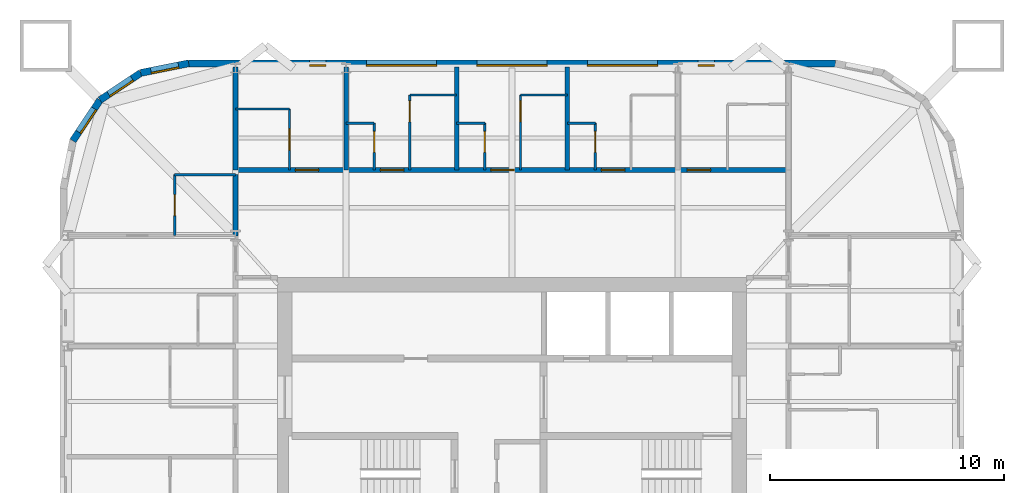
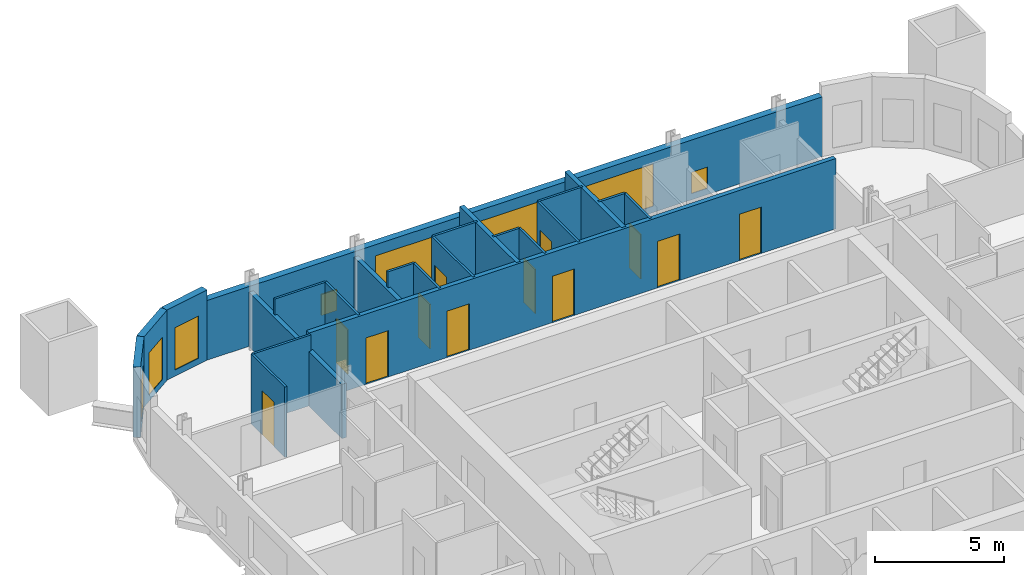
# One storey, part 7 of 9: 24 walls, 12 doors, 8 windows, 20 openings.
"""IFC4 building model written with IfcOpenShell, lengths in metres."""

from ifc_helpers import new_model, si_unit, direction, frame, frame_2d, origin, place, context, subcontext, project, spatial, rectangle, extrude, material, layer, layer_set, type_object, element, fill, save


model = new_model("IFC4")

# Units and contexts
model_context = context("Model", 3, precision=1e-05, world=origin(), true_north=direction((0.0, 1.0)))
body_context = subcontext(model_context, "Body", "Model", "MODEL_VIEW")
ifc_project = project(units=[si_unit("LENGTHUNIT", "METRE"), si_unit("AREAUNIT", "SQUARE_METRE"), si_unit("VOLUMEUNIT", "CUBIC_METRE"), si_unit("PLANEANGLEUNIT", "RADIAN"), si_unit("MASSUNIT", "GRAM", prefix="KILO")], contexts=[model_context])

# Site, building, storey
site_placement = place(None, origin())
site = spatial("IfcSite", under=ifc_project, at=site_placement, CompositionType="ELEMENT")
building_placement = place(site_placement, origin())
building = spatial("IfcBuilding", under=site, at=building_placement, Name="Turquesa Mirador Hotel Tower", CompositionType="ELEMENT")
storey_placement = place(building_placement, frame((0.0, 0.0, 175.800048828125)))
storey = spatial("IfcBuildingStorey", under=building, at=storey_placement, Name="L47", CompositionType="ELEMENT", Elevation=175.800048828125)

# Walls
ifc_material_1 = material(Name="Gypsum board on steel studs", Category="steel")
ifc_layer_1 = layer(ifc_material_1, 0.10009765625)
ifc_layer_set_1 = layer_set([ifc_layer_1], Name="BATHROOM WALL 100")
wall_type_1 = type_object("IfcWallType", Name="BATHROOM WALL 100", PredefinedType="PARTITIONING", material=ifc_layer_set_1)
wall_1_placement = place(storey_placement, frame((40.60009765625, 59.39990234375, 0.0), z_axis=(0.0, 0.0, 1.0), x_axis=(1.0, 0.0, 0.0)))
element("IfcWall", 1, at=wall_1_placement, inside=storey, type_object=wall_type_1, Name="Partition L47 029", PredefinedType="PARTITIONING", context=body_context, shape_type="SweptSolid", body=[
    extrude(rectangle(XDim=2.599853515625, YDim=0.10009765625, at=frame_2d((1.2998046875, 0.0))), origin(), (0.0, 0.0, 1.0), 3.329833984375),
])
for number, where, z_axis, x_axis, name in (
    (2, (47.919921875, 61.60009765625, 0.0), (0.0, 0.0, 1.0), (1.0, 0.0, 0.0), "Partition L47 031"),
    (3, (52.639892578125, 61.60009765625, 0.0), (0.0, 0.0, 1.0), (1.0, 0.0, 0.0), "Partition L47 032"),
):
    element("IfcWall", number, at=place(storey_placement, frame(where, z_axis=z_axis, x_axis=x_axis)), inside=storey, type_object=wall_type_1, Name=name, PredefinedType="PARTITIONING", context=body_context, shape_type="SweptSolid", body=[
        extrude(rectangle(XDim=1.2001953125, YDim=0.10009765625, at=frame_2d((0.60009765625, 0.0))), origin(), (0.0, 0.0, 1.0), 3.329833984375),
    ])
wall_2_placement = place(storey_placement, frame((57.360107421875, 61.60009765625, 0.0), z_axis=(0.0, 0.0, 1.0), x_axis=(1.0, 0.0, 0.0)))
element("IfcWall", 4, at=wall_2_placement, inside=storey, type_object=wall_type_1, Name="Partition L47 033", PredefinedType="PARTITIONING", context=body_context, shape_type="SweptSolid", body=[
    extrude(rectangle(XDim=1.199951171875, YDim=0.10009765625, at=frame_2d((0.60009765625, 0.0))), origin(), (0.0, 0.0, 1.0), 3.329833984375),
])
wall_3_placement = place(storey_placement, frame((43.199951171875, 62.199951171875, 0.0), z_axis=(0.0, 0.0, 1.0), x_axis=(1.0, 0.0, 0.0)))
element("IfcWall", 5, at=wall_3_placement, inside=storey, type_object=wall_type_1, Name="Partition L47 034", PredefinedType="PARTITIONING", context=body_context, shape_type="SweptSolid", body=[
    extrude(rectangle(XDim=2.300048828125, YDim=0.10009765625, at=frame_2d((1.14990234375, 0.0))), origin(), (0.0, 0.0, 1.0), 3.329833984375),
])
for number, where, z_axis, x_axis, name in (
    (6, (50.639892578125, 62.800048828125, 0.0), (0.0, 0.0, 1.0), (1.0, 0.0, 0.0), "Partition L47 036"),
    (7, (55.360107421875, 62.800048828125, 0.0), (0.0, 0.0, 1.0), (1.0, 0.0, 0.0), "Partition L47 037"),
):
    element("IfcWall", number, at=place(storey_placement, frame(where, z_axis=z_axis, x_axis=x_axis)), inside=storey, type_object=wall_type_1, Name=name, PredefinedType="PARTITIONING", context=body_context, shape_type="SweptSolid", body=[
        extrude(rectangle(XDim=2.0, YDim=0.10009765625, at=frame_2d((1.0, 0.0))), origin(), (0.0, 0.0, 1.0), 3.329833984375),
    ])

# Wall, opening, door
wall_4_placement = place(storey_placement, frame((53.840087890625, 59.60009765625, 0.0), z_axis=(0.0, 0.0, 1.0), x_axis=(0.0, 1.0, 0.0)))
wall_4 = element("IfcWall", 8, at=wall_4_placement, inside=storey, type_object=wall_type_1, Name="Partition L47 048", PredefinedType="PARTITIONING", context=body_context, shape_type="SweptSolid", body=[
    extrude(rectangle(XDim=2.0, YDim=0.10009765625, at=frame_2d((1.0, 0.0))), origin(), (0.0, 0.0, 1.0), 3.329833984375),
])
opening_1_placement = place(wall_4_placement, frame((0.75, 0.0, 0.0)))
opening_1 = element("IfcOpeningElement", 9, at=opening_1_placement, cuts=wall_4, Name="Opening D06", PredefinedType="OPENING", context=body_context, shape_type="SweptSolid", body=[
    extrude(rectangle(XDim=0.89990234375, YDim=2.10009765625, at=frame_2d((0.449951171875, 1.050048828125))), frame((0.0, 0.06005859375, 0.0), z_axis=(0.0, -1.0, 0.0), x_axis=(1.0, 0.0, 0.0)), (0.0, 0.0, 1.0), 0.1201171875),
])
ifc_material_2 = material(Name="Laminate door", Category="wood")
door_type_1 = type_object("IfcDoorType", Name="DOOR 900X2100 WC", OperationType="SINGLE_SWING_LEFT", PredefinedType="DOOR", material=ifc_material_2)
door_1_placement = place(opening_1_placement, origin())
door_1 = element("IfcDoor", 10, at=door_1_placement, inside=storey, type_object=door_type_1, Name="Door 4703W", OperationType="SINGLE_SWING_LEFT", OverallHeight=2.10009765625, OverallWidth=0.89990234375, PredefinedType="DOOR", context=body_context, shape_type="SweptSolid", body=[
    extrude(rectangle(XDim=0.89990234375, YDim=2.10009765625, at=frame_2d((0.449951171875, 1.050048828125))), frame((0.0, 0.02490234375, 0.0), z_axis=(0.0, -1.0, 0.0), x_axis=(1.0, 0.0, 0.0)), (0.0, 0.0, 1.0), 0.050048828125),
])
fill(opening_1, door_1)

wall_5_placement = place(storey_placement, frame((40.60009765625, 56.800048828125, 0.0), z_axis=(0.0, 0.0, 1.0), x_axis=(0.0, 1.0, 0.0)))
wall_5 = element("IfcWall", 11, at=wall_5_placement, inside=storey, type_object=wall_type_1, Name="Partition L47 056", PredefinedType="PARTITIONING", context=body_context, shape_type="SweptSolid", body=[
    extrude(rectangle(XDim=2.599853515625, YDim=0.10009765625, at=frame_2d((1.2998046875, 0.0))), origin(), (0.0, 0.0, 1.0), 3.329833984375),
])
opening_2_placement = place(wall_5_placement, frame((0.85009765625, 0.0, 0.0)))
opening_2 = element("IfcOpeningElement", 12, at=opening_2_placement, cuts=wall_5, Name="Opening D02", PredefinedType="OPENING", context=body_context, shape_type="SweptSolid", body=[
    extrude(rectangle(XDim=0.89990234375, YDim=2.10009765625, at=frame_2d((0.449951171875, 1.050048828125))), frame((0.0, 0.06005859375, 0.0), z_axis=(0.0, -1.0, 0.0), x_axis=(1.0, 0.0, 0.0)), (0.0, 0.0, 1.0), 0.1201171875),
])
ifc_material_3 = material(Name="Timber veneered door", Category="wood")
door_type_2 = type_object("IfcDoorType", Name="DOOR 900X2100 EN-SUITE", OperationType="SINGLE_SWING_RIGHT", PredefinedType="DOOR", material=ifc_material_3)
door_2_placement = place(opening_2_placement, origin())
door_2 = element("IfcDoor", 13, at=door_2_placement, inside=storey, type_object=door_type_2, Name="Door 4716B", OperationType="SINGLE_SWING_RIGHT", OverallHeight=2.10009765625, OverallWidth=0.89990234375, PredefinedType="DOOR", context=body_context, shape_type="SweptSolid", body=[
    extrude(rectangle(XDim=0.89990234375, YDim=2.10009765625, at=frame_2d((0.449951171875, 1.050048828125))), frame((0.0, 0.02490234375, 0.0), z_axis=(0.0, -1.0, 0.0), x_axis=(1.0, 0.0, 0.0)), (0.0, 0.0, 1.0), 0.050048828125),
])
fill(opening_2, door_2)

wall_6_placement = place(storey_placement, frame((50.639892578125, 59.60009765625, 0.0), z_axis=(0.0, 0.0, 1.0), x_axis=(0.0, 1.0, 0.0)))
wall_6 = element("IfcWall", 14, at=wall_6_placement, inside=storey, type_object=wall_type_1, Name="Partition L47 062", PredefinedType="PARTITIONING", context=body_context, shape_type="SweptSolid", body=[
    extrude(rectangle(XDim=3.199951171875, YDim=0.10009765625, at=frame_2d((1.60009765625, 0.0))), origin(), (0.0, 0.0, 1.0), 3.329833984375),
])
opening_3_placement = place(wall_6_placement, frame((2.050048828125, 0.0, 0.0)))
opening_3 = element("IfcOpeningElement", 15, at=opening_3_placement, cuts=wall_6, Name="Opening D02", PredefinedType="OPENING", context=body_context, shape_type="SweptSolid", body=[
    extrude(rectangle(XDim=0.89990234375, YDim=2.10009765625, at=frame_2d((0.449951171875, 1.050048828125))), frame((0.0, 0.06005859375, 0.0), z_axis=(0.0, -1.0, 0.0), x_axis=(1.0, 0.0, 0.0)), (0.0, 0.0, 1.0), 0.1201171875),
])
door_3_placement = place(opening_3_placement, origin())
door_3 = element("IfcDoor", 16, at=door_3_placement, inside=storey, type_object=door_type_2, Name="Door 4702B", OperationType="SINGLE_SWING_RIGHT", OverallHeight=2.10009765625, OverallWidth=0.89990234375, PredefinedType="DOOR", context=body_context, shape_type="SweptSolid", body=[
    extrude(rectangle(XDim=0.89990234375, YDim=2.10009765625, at=frame_2d((0.449951171875, 1.050048828125))), frame((0.0, 0.02490234375, 0.0), z_axis=(0.0, -1.0, 0.0), x_axis=(1.0, 0.0, 0.0)), (0.0, 0.0, 1.0), 0.050048828125),
])
fill(opening_3, door_3)

wall_7_placement = place(storey_placement, frame((49.1201171875, 59.60009765625, 0.0), z_axis=(0.0, 0.0, 1.0), x_axis=(0.0, 1.0, 0.0)))
wall_7 = element("IfcWall", 17, at=wall_7_placement, inside=storey, type_object=wall_type_1, Name="Partition L47 064", PredefinedType="PARTITIONING", context=body_context, shape_type="SweptSolid", body=[
    extrude(rectangle(XDim=2.0, YDim=0.10009765625, at=frame_2d((1.0, 0.0))), origin(), (0.0, 0.0, 1.0), 3.329833984375),
])
opening_4_placement = place(wall_7_placement, frame((0.75, 0.0, 0.0)))
opening_4 = element("IfcOpeningElement", 18, at=opening_4_placement, cuts=wall_7, Name="Opening D06", PredefinedType="OPENING", context=body_context, shape_type="SweptSolid", body=[
    extrude(rectangle(XDim=0.89990234375, YDim=2.10009765625, at=frame_2d((0.449951171875, 1.050048828125))), frame((0.0, 0.06005859375, 0.0), z_axis=(0.0, -1.0, 0.0), x_axis=(1.0, 0.0, 0.0)), (0.0, 0.0, 1.0), 0.1201171875),
])
door_4_placement = place(opening_4_placement, origin())
door_4 = element("IfcDoor", 19, at=door_4_placement, inside=storey, type_object=door_type_1, Name="Door 4702W", OperationType="SINGLE_SWING_LEFT", OverallHeight=2.10009765625, OverallWidth=0.89990234375, PredefinedType="DOOR", context=body_context, shape_type="SweptSolid", body=[
    extrude(rectangle(XDim=0.89990234375, YDim=2.10009765625, at=frame_2d((0.449951171875, 1.050048828125))), frame((0.0, 0.02490234375, 0.0), z_axis=(0.0, -1.0, 0.0), x_axis=(1.0, 0.0, 0.0)), (0.0, 0.0, 1.0), 0.050048828125),
])
fill(opening_4, door_4)

wall_8_placement = place(storey_placement, frame((45.5, 59.60009765625, 0.0), z_axis=(0.0, 0.0, 1.0), x_axis=(0.0, 1.0, 0.0)))
wall_8 = element("IfcWall", 20, at=wall_8_placement, inside=storey, type_object=wall_type_1, Name="Partition L47 069", PredefinedType="PARTITIONING", context=body_context, shape_type="SweptSolid", body=[
    extrude(rectangle(XDim=2.599853515625, YDim=0.10009765625, at=frame_2d((1.2998046875, 0.0))), origin(), (0.0, 0.0, 1.0), 3.329833984375),
])
opening_5_placement = place(wall_8_placement, frame((0.85009765625, 0.0, 0.0)))
opening_5 = element("IfcOpeningElement", 21, at=opening_5_placement, cuts=wall_8, Name="Opening D02", PredefinedType="OPENING", context=body_context, shape_type="SweptSolid", body=[
    extrude(rectangle(XDim=0.89990234375, YDim=2.10009765625, at=frame_2d((0.449951171875, 1.050048828125))), frame((0.0, 0.06005859375, 0.0), z_axis=(0.0, -1.0, 0.0), x_axis=(1.0, 0.0, 0.0)), (0.0, 0.0, 1.0), 0.1201171875),
])
door_5_placement = place(opening_5_placement, origin())
door_5 = element("IfcDoor", 22, at=door_5_placement, inside=storey, type_object=door_type_2, Name="Door 4701B", OperationType="SINGLE_SWING_RIGHT", OverallHeight=2.10009765625, OverallWidth=0.89990234375, PredefinedType="DOOR", context=body_context, shape_type="SweptSolid", body=[
    extrude(rectangle(XDim=0.89990234375, YDim=2.10009765625, at=frame_2d((0.449951171875, 1.050048828125))), frame((0.0, 0.02490234375, 0.0), z_axis=(0.0, -1.0, 0.0), x_axis=(1.0, 0.0, 0.0)), (0.0, 0.0, 1.0), 0.050048828125),
])
fill(opening_5, door_5)

wall_9_placement = place(storey_placement, frame((55.360107421875, 59.60009765625, 0.0), z_axis=(0.0, 0.0, 1.0), x_axis=(0.0, 1.0, 0.0)))
wall_9 = element("IfcWall", 23, at=wall_9_placement, inside=storey, type_object=wall_type_1, Name="Partition L47 070", PredefinedType="PARTITIONING", context=body_context, shape_type="SweptSolid", body=[
    extrude(rectangle(XDim=3.199951171875, YDim=0.10009765625, at=frame_2d((1.60009765625, 0.0))), origin(), (0.0, 0.0, 1.0), 3.329833984375),
])
opening_6_placement = place(wall_9_placement, frame((2.050048828125, 0.0, 0.0)))
opening_6 = element("IfcOpeningElement", 24, at=opening_6_placement, cuts=wall_9, Name="Opening D02", PredefinedType="OPENING", context=body_context, shape_type="SweptSolid", body=[
    extrude(rectangle(XDim=0.89990234375, YDim=2.10009765625, at=frame_2d((0.449951171875, 1.050048828125))), frame((0.0, 0.06005859375, 0.0), z_axis=(0.0, -1.0, 0.0), x_axis=(1.0, 0.0, 0.0)), (0.0, 0.0, 1.0), 0.1201171875),
])
door_6_placement = place(opening_6_placement, origin())
door_6 = element("IfcDoor", 25, at=door_6_placement, inside=storey, type_object=door_type_2, Name="Door 4703B", OperationType="SINGLE_SWING_RIGHT", OverallHeight=2.10009765625, OverallWidth=0.89990234375, PredefinedType="DOOR", context=body_context, shape_type="SweptSolid", body=[
    extrude(rectangle(XDim=0.89990234375, YDim=2.10009765625, at=frame_2d((0.449951171875, 1.050048828125))), frame((0.0, 0.02490234375, 0.0), z_axis=(0.0, -1.0, 0.0), x_axis=(1.0, 0.0, 0.0)), (0.0, 0.0, 1.0), 0.050048828125),
])
fill(opening_6, door_6)

wall_10_placement = place(storey_placement, frame((58.56005859375, 59.60009765625, 0.0), z_axis=(0.0, 0.0, 1.0), x_axis=(0.0, 1.0, 0.0)))
wall_10 = element("IfcWall", 26, at=wall_10_placement, inside=storey, type_object=wall_type_1, Name="Partition L47 087", PredefinedType="PARTITIONING", context=body_context, shape_type="SweptSolid", body=[
    extrude(rectangle(XDim=2.0, YDim=0.10009765625, at=frame_2d((1.0, 0.0))), origin(), (0.0, 0.0, 1.0), 3.329833984375),
])
opening_7_placement = place(wall_10_placement, frame((0.75, 0.0, 0.0)))
opening_7 = element("IfcOpeningElement", 27, at=opening_7_placement, cuts=wall_10, Name="Opening D06", PredefinedType="OPENING", context=body_context, shape_type="SweptSolid", body=[
    extrude(rectangle(XDim=0.89990234375, YDim=2.10009765625, at=frame_2d((0.449951171875, 1.050048828125))), frame((0.0, 0.06005859375, 0.0), z_axis=(0.0, -1.0, 0.0), x_axis=(1.0, 0.0, 0.0)), (0.0, 0.0, 1.0), 0.1201171875),
])
door_7_placement = place(opening_7_placement, origin())
door_7 = element("IfcDoor", 28, at=door_7_placement, inside=storey, type_object=door_type_1, Name="Door 4704W", OperationType="SINGLE_SWING_LEFT", OverallHeight=2.10009765625, OverallWidth=0.89990234375, PredefinedType="DOOR", context=body_context, shape_type="SweptSolid", body=[
    extrude(rectangle(XDim=0.89990234375, YDim=2.10009765625, at=frame_2d((0.449951171875, 1.050048828125))), frame((0.0, 0.02490234375, 0.0), z_axis=(0.0, -1.0, 0.0), x_axis=(1.0, 0.0, 0.0)), (0.0, 0.0, 1.0), 0.050048828125),
])
fill(opening_7, door_7)

# Wall, openings, doors
ifc_material_4 = material(Name="Fire-rated gypsum board on steel studs", Category="steel")
ifc_layer_2 = layer(ifc_material_4, 0.199951171875)
ifc_layer_set_2 = layer_set([ifc_layer_2], Name="CORRIDOR WALL 200")
wall_type_2 = type_object("IfcWallType", Name="CORRIDOR WALL 200", PredefinedType="PARTITIONING", material=ifc_layer_set_2)
wall_11_placement = place(storey_placement, frame((43.199951171875, 59.60009765625, 0.0), z_axis=(0.0, 0.0, 1.0), x_axis=(1.0, 0.0, 0.0)))
wall_11 = element("IfcWall", 29, at=wall_11_placement, inside=storey, type_object=wall_type_2, Name="Partition L47 030", PredefinedType="PARTITIONING", context=body_context, shape_type="SweptSolid", body=[
    extrude(rectangle(XDim=23.60009765625, YDim=0.199951171875, at=frame_2d((11.800048828125, 0.0))), origin(), (0.0, 0.0, 1.0), 3.329833984375),
])
opening_8_placement = place(wall_11_placement, frame((2.550048828125, 0.0, 0.0)))
opening_8 = element("IfcOpeningElement", 30, at=opening_8_placement, cuts=wall_11, Name="Opening D01", PredefinedType="OPENING", context=body_context, shape_type="SweptSolid", body=[
    extrude(rectangle(XDim=1.0, YDim=2.199951171875, at=frame_2d((0.5, 1.10009765625))), frame((0.0, 0.10986328125, 0.0), z_axis=(0.0, -1.0, 0.0), x_axis=(1.0, 0.0, 0.0)), (0.0, 0.0, 1.0), 0.219970703125),
])
opening_9_placement = place(wall_11_placement, frame((6.179931640625, 0.0, 0.0)))
opening_9 = element("IfcOpeningElement", 31, at=opening_9_placement, cuts=wall_11, Name="Opening D01", PredefinedType="OPENING", context=body_context, shape_type="SweptSolid", body=[
    extrude(rectangle(XDim=1.0, YDim=2.199951171875, at=frame_2d((0.5, 1.10009765625))), frame((0.0, 0.10986328125, 0.0), z_axis=(0.0, -1.0, 0.0), x_axis=(1.0, 0.0, 0.0)), (0.0, 0.0, 1.0), 0.219970703125),
])
opening_10_placement = place(wall_11_placement, frame((10.89990234375, 0.0, 0.0)))
opening_10 = element("IfcOpeningElement", 32, at=opening_10_placement, cuts=wall_11, Name="Opening D01", PredefinedType="OPENING", context=body_context, shape_type="SweptSolid", body=[
    extrude(rectangle(XDim=1.0, YDim=2.199951171875, at=frame_2d((0.5, 1.10009765625))), frame((0.0, 0.10986328125, 0.0), z_axis=(0.0, -1.0, 0.0), x_axis=(1.0, 0.0, 0.0)), (0.0, 0.0, 1.0), 0.219970703125),
])
opening_11_placement = place(wall_11_placement, frame((15.6201171875, 0.0, 0.0)))
opening_11 = element("IfcOpeningElement", 33, at=opening_11_placement, cuts=wall_11, Name="Opening D01", PredefinedType="OPENING", context=body_context, shape_type="SweptSolid", body=[
    extrude(rectangle(XDim=1.0, YDim=2.199951171875, at=frame_2d((0.5, 1.10009765625))), frame((0.0, 0.10986328125, 0.0), z_axis=(0.0, -1.0, 0.0), x_axis=(1.0, 0.0, 0.0)), (0.0, 0.0, 1.0), 0.219970703125),
])
opening_12_placement = place(wall_11_placement, frame((19.280029296875, 0.0, 0.0)))
opening_12 = element("IfcOpeningElement", 34, at=opening_12_placement, cuts=wall_11, Name="Opening D01", PredefinedType="OPENING", context=body_context, shape_type="SweptSolid", body=[
    extrude(rectangle(XDim=1.0, YDim=2.199951171875, at=frame_2d((0.5, 1.10009765625))), frame((0.0, 0.10986328125, 0.0), z_axis=(0.0, -1.0, 0.0), x_axis=(1.0, 0.0, 0.0)), (0.0, 0.0, 1.0), 0.219970703125),
])
ifc_material_5 = material(Name="Timber veneered fire door", Category="wood")
door_type_3 = type_object("IfcDoorType", Name="DOOR 1000X2200 GUEST ENTRY", OperationType="SINGLE_SWING_LEFT", PredefinedType="DOOR", material=ifc_material_5)
door_8_placement = place(opening_8_placement, origin())
door_8 = element("IfcDoor", 35, at=door_8_placement, inside=storey, type_object=door_type_3, Name="Door 4701", OperationType="SINGLE_SWING_LEFT", OverallHeight=2.199951171875, OverallWidth=1.0, PredefinedType="DOOR", context=body_context, shape_type="SweptSolid", body=[
    extrude(rectangle(XDim=1.0, YDim=2.199951171875, at=frame_2d((0.5, 1.10009765625))), frame((0.0, 0.02490234375, 0.0), z_axis=(0.0, -1.0, 0.0), x_axis=(1.0, 0.0, 0.0)), (0.0, 0.0, 1.0), 0.050048828125),
])
fill(opening_8, door_8)
door_9_placement = place(opening_9_placement, origin())
door_9 = element("IfcDoor", 36, at=door_9_placement, inside=storey, type_object=door_type_3, Name="Door 4702", OperationType="SINGLE_SWING_LEFT", OverallHeight=2.199951171875, OverallWidth=1.0, PredefinedType="DOOR", context=body_context, shape_type="SweptSolid", body=[
    extrude(rectangle(XDim=1.0, YDim=2.199951171875, at=frame_2d((0.5, 1.10009765625))), frame((0.0, 0.02490234375, 0.0), z_axis=(0.0, -1.0, 0.0), x_axis=(1.0, 0.0, 0.0)), (0.0, 0.0, 1.0), 0.050048828125),
])
fill(opening_9, door_9)
door_10_placement = place(opening_10_placement, origin())
door_10 = element("IfcDoor", 37, at=door_10_placement, inside=storey, type_object=door_type_3, Name="Door 4703", OperationType="SINGLE_SWING_LEFT", OverallHeight=2.199951171875, OverallWidth=1.0, PredefinedType="DOOR", context=body_context, shape_type="SweptSolid", body=[
    extrude(rectangle(XDim=1.0, YDim=2.199951171875, at=frame_2d((0.5, 1.10009765625))), frame((0.0, 0.02490234375, 0.0), z_axis=(0.0, -1.0, 0.0), x_axis=(1.0, 0.0, 0.0)), (0.0, 0.0, 1.0), 0.050048828125),
])
fill(opening_10, door_10)
door_11_placement = place(opening_11_placement, origin())
door_11 = element("IfcDoor", 38, at=door_11_placement, inside=storey, type_object=door_type_3, Name="Door 4704", OperationType="SINGLE_SWING_LEFT", OverallHeight=2.199951171875, OverallWidth=1.0, PredefinedType="DOOR", context=body_context, shape_type="SweptSolid", body=[
    extrude(rectangle(XDim=1.0, YDim=2.199951171875, at=frame_2d((0.5, 1.10009765625))), frame((0.0, 0.02490234375, 0.0), z_axis=(0.0, -1.0, 0.0), x_axis=(1.0, 0.0, 0.0)), (0.0, 0.0, 1.0), 0.050048828125),
])
fill(opening_11, door_11)
door_12_placement = place(opening_12_placement, origin())
door_12 = element("IfcDoor", 39, at=door_12_placement, inside=storey, type_object=door_type_3, Name="Door 4705", OperationType="SINGLE_SWING_LEFT", OverallHeight=2.199951171875, OverallWidth=1.0, PredefinedType="DOOR", context=body_context, shape_type="SweptSolid", body=[
    extrude(rectangle(XDim=1.0, YDim=2.199951171875, at=frame_2d((0.5, 1.10009765625))), frame((0.0, 0.02490234375, 0.0), z_axis=(0.0, -1.0, 0.0), x_axis=(1.0, 0.0, 0.0)), (0.0, 0.0, 1.0), 0.050048828125),
])
fill(opening_12, door_12)

# Wall
wall_12_placement = place(storey_placement, frame((43.199951171875, 56.780029296875, 0.0), z_axis=(0.0, 0.0, 1.0), x_axis=(0.0, 1.0, 0.0)))
element("IfcWall", 40, at=wall_12_placement, inside=storey, type_object=wall_type_2, Name="Partition L47 092", PredefinedType="PARTITIONING", context=body_context, shape_type="SweptSolid", body=[
    extrude(rectangle(XDim=2.619873046875, YDim=0.199951171875, at=frame_2d((1.31005859375, 0.0))), origin(), (0.0, 0.0, 1.0), 2.572998046875),
])

# Wall, openings, windows
ifc_material_6 = material(Name="Limestone cladding on concrete block", Category="masonry")
ifc_layer_3 = layer(ifc_material_6, 0.300048828125)
ifc_layer_set_3 = layer_set([ifc_layer_3], Name="FACADE WALL 300 STONE SCREEN")
wall_type_3 = type_object("IfcWallType", Name="FACADE WALL 300 STONE SCREEN", PredefinedType="SOLIDWALL", material=ifc_layer_set_3)
wall_13_placement = place(storey_placement, frame((68.800048828125, 64.14990234375, 0.0), z_axis=(0.0, 0.0, 1.0), x_axis=(-1.0, 0.0, 0.0)))
wall_13 = element("IfcWall", 41, at=wall_13_placement, inside=storey, type_object=wall_type_3, Name="Facade wall L47 09", PredefinedType="SOLIDWALL", context=body_context, shape_type="SweptSolid", body=[
    extrude(rectangle(XDim=27.60009765625, YDim=0.300048828125, at=frame_2d((13.800048828125, 0.0))), origin(), (0.0, 0.0, 1.0), 2.829833984375),
])
opening_13_placement = place(wall_13_placement, frame((5.159912109375, 0.0, 0.300048828125)))
opening_13 = element("IfcOpeningElement", 42, at=opening_13_placement, cuts=wall_13, Name="Opening WN32", PredefinedType="OPENING", context=body_context, shape_type="SweptSolid", body=[
    extrude(rectangle(XDim=0.699951171875, YDim=1.0, at=frame_2d((0.35009765625, 0.5))), frame((0.0, 0.159912109375, 0.0), z_axis=(0.0, -1.0, 0.0), x_axis=(1.0, 0.0, 0.0)), (0.0, 0.0, 1.0), 0.320068359375),
])
opening_14_placement = place(wall_13_placement, frame((7.580078125, 0.0, 0.300048828125)))
opening_14 = element("IfcOpeningElement", 43, at=opening_14_placement, cuts=wall_13, Name="Opening WN1", PredefinedType="OPENING", context=body_context, shape_type="SweptSolid", body=[
    extrude(rectangle(XDim=3.0, YDim=2.0, at=frame_2d((1.5, 1.0))), frame((0.0, 0.159912109375, 0.0), z_axis=(0.0, -1.0, 0.0), x_axis=(1.0, 0.0, 0.0)), (0.0, 0.0, 1.0), 0.320068359375),
])
opening_15_placement = place(wall_13_placement, frame((12.300048828125, 0.0, 0.300048828125)))
opening_15 = element("IfcOpeningElement", 44, at=opening_15_placement, cuts=wall_13, Name="Opening WN1", PredefinedType="OPENING", context=body_context, shape_type="SweptSolid", body=[
    extrude(rectangle(XDim=3.0, YDim=2.0, at=frame_2d((1.5, 1.0))), frame((0.0, 0.159912109375, 0.0), z_axis=(0.0, -1.0, 0.0), x_axis=(1.0, 0.0, 0.0)), (0.0, 0.0, 1.0), 0.320068359375),
])
opening_16_placement = place(wall_13_placement, frame((17.02001953125, 0.0, 0.300048828125)))
opening_16 = element("IfcOpeningElement", 45, at=opening_16_placement, cuts=wall_13, Name="Opening WN1", PredefinedType="OPENING", context=body_context, shape_type="SweptSolid", body=[
    extrude(rectangle(XDim=3.0, YDim=2.0, at=frame_2d((1.5, 1.0))), frame((0.0, 0.159912109375, 0.0), z_axis=(0.0, -1.0, 0.0), x_axis=(1.0, 0.0, 0.0)), (0.0, 0.0, 1.0), 0.320068359375),
])
opening_17_placement = place(wall_13_placement, frame((21.739990234375, 0.0, 0.300048828125)))
opening_17 = element("IfcOpeningElement", 46, at=opening_17_placement, cuts=wall_13, Name="Opening WN32", PredefinedType="OPENING", context=body_context, shape_type="SweptSolid", body=[
    extrude(rectangle(XDim=0.699951171875, YDim=1.0, at=frame_2d((0.35009765625, 0.5))), frame((0.0, 0.159912109375, 0.0), z_axis=(0.0, -1.0, 0.0), x_axis=(1.0, 0.0, 0.0)), (0.0, 0.0, 1.0), 0.320068359375),
])
ifc_material_7 = material(Name="Ceramic-fritted laminated glass", Category="glass")
window_type_1 = type_object("IfcWindowType", Name="FRITTED WINDOW 3000X2000", PartitioningType="DOUBLE_PANEL_HORIZONTAL", PredefinedType="WINDOW", material=ifc_material_7)
window_1_placement = place(opening_14_placement, origin())
window_1 = element("IfcWindow", 47, at=window_1_placement, inside=storey, type_object=window_type_1, Name="Window L47", OverallHeight=2.0, OverallWidth=3.0, PartitioningType="SINGLE_PANEL", PredefinedType="WINDOW", context=body_context, shape_type="SweptSolid", body=[
    extrude(rectangle(XDim=3.0, YDim=2.0, at=frame_2d((1.5, 1.0))), frame((0.0, 0.130126953125, 0.0), z_axis=(0.0, -1.0, 0.0), x_axis=(1.0, 0.0, 0.0)), (0.0, 0.0, 1.0), 0.06005859375),
])
fill(opening_14, window_1)
window_2_placement = place(opening_15_placement, origin())
window_2 = element("IfcWindow", 48, at=window_2_placement, inside=storey, type_object=window_type_1, Name="Window L47", OverallHeight=2.0, OverallWidth=3.0, PartitioningType="SINGLE_PANEL", PredefinedType="WINDOW", context=body_context, shape_type="SweptSolid", body=[
    extrude(rectangle(XDim=3.0, YDim=2.0, at=frame_2d((1.5, 1.0))), frame((0.0, 0.130126953125, 0.0), z_axis=(0.0, -1.0, 0.0), x_axis=(1.0, 0.0, 0.0)), (0.0, 0.0, 1.0), 0.06005859375),
])
fill(opening_15, window_2)
window_3_placement = place(opening_16_placement, origin())
window_3 = element("IfcWindow", 49, at=window_3_placement, inside=storey, type_object=window_type_1, Name="Window L47", OverallHeight=2.0, OverallWidth=3.0, PartitioningType="SINGLE_PANEL", PredefinedType="WINDOW", context=body_context, shape_type="SweptSolid", body=[
    extrude(rectangle(XDim=3.0, YDim=2.0, at=frame_2d((1.5, 1.0))), frame((0.0, 0.130126953125, 0.0), z_axis=(0.0, -1.0, 0.0), x_axis=(1.0, 0.0, 0.0)), (0.0, 0.0, 1.0), 0.06005859375),
])
fill(opening_16, window_3)
ifc_material_8 = material(Name="Ceramic-fritted laminated glass", Category="glass")
window_type_2 = type_object("IfcWindowType", Name="FRITTED WINDOW 700X1000", PartitioningType="DOUBLE_PANEL_HORIZONTAL", PredefinedType="WINDOW", material=ifc_material_8)
window_4_placement = place(opening_13_placement, origin())
window_4 = element("IfcWindow", 50, at=window_4_placement, inside=storey, type_object=window_type_2, Name="Window L47", OverallHeight=1.0, OverallWidth=0.699951171875, PartitioningType="SINGLE_PANEL", PredefinedType="WINDOW", context=body_context, shape_type="SweptSolid", body=[
    extrude(rectangle(XDim=0.699951171875, YDim=1.0, at=frame_2d((0.35009765625, 0.5))), frame((0.0, 0.130126953125, 0.0), z_axis=(0.0, -1.0, 0.0), x_axis=(1.0, 0.0, 0.0)), (0.0, 0.0, 1.0), 0.06005859375),
])
fill(opening_13, window_4)
window_5_placement = place(opening_17_placement, origin())
window_5 = element("IfcWindow", 51, at=window_5_placement, inside=storey, type_object=window_type_2, Name="Window L47", OverallHeight=1.0, OverallWidth=0.699951171875, PartitioningType="SINGLE_PANEL", PredefinedType="WINDOW", context=body_context, shape_type="SweptSolid", body=[
    extrude(rectangle(XDim=0.699951171875, YDim=1.0, at=frame_2d((0.35009765625, 0.5))), frame((0.0, 0.130126953125, 0.0), z_axis=(0.0, -1.0, 0.0), x_axis=(1.0, 0.0, 0.0)), (0.0, 0.0, 1.0), 0.06005859375),
])
fill(opening_17, window_5)

# Wall, opening, window
wall_14_placement = place(storey_placement, frame((41.199951171875, 64.14990234375, 0.0), z_axis=(0.0, 0.0, 1.0), x_axis=(-0.980787050784, -0.195081421501, 0.0)))
wall_14 = element("IfcWall", 52, at=wall_14_placement, inside=storey, type_object=wall_type_3, Name="Facade wall L47 10", PredefinedType="SOLIDWALL", context=body_context, shape_type="SweptSolid", body=[
    extrude(rectangle(XDim=2.08740234375, YDim=0.300048828125, at=frame_2d((1.043701171875, 0.0))), origin(), (0.0, 0.0, 1.0), 3.329833984375),
])
opening_18_placement = place(wall_14_placement, frame((0.443603515625, 0.0, 0.300048828125)))
opening_18 = element("IfcOpeningElement", 53, at=opening_18_placement, cuts=wall_14, Name="Opening WN4", PredefinedType="OPENING", context=body_context, shape_type="SweptSolid", body=[
    extrude(rectangle(XDim=1.199951171875, YDim=2.0, at=frame_2d((0.60009765625, 1.0))), frame((0.0, 0.159912109375, 0.0), z_axis=(0.0, -1.0, 0.0), x_axis=(1.0, 0.0, 0.0)), (0.0, 0.0, 1.0), 0.320068359375),
])
ifc_material_9 = material(Name="Ceramic-fritted laminated glass", Category="glass")
window_type_3 = type_object("IfcWindowType", Name="FRITTED CORNER WINDOW 1200X2000", PartitioningType="DOUBLE_PANEL_HORIZONTAL", PredefinedType="WINDOW", material=ifc_material_9)
window_6_placement = place(opening_18_placement, origin())
window_6 = element("IfcWindow", 54, at=window_6_placement, inside=storey, type_object=window_type_3, Name="Window L47", OverallHeight=2.0, OverallWidth=1.199951171875, PartitioningType="SINGLE_PANEL", PredefinedType="WINDOW", context=body_context, shape_type="SweptSolid", body=[
    extrude(rectangle(XDim=1.199951171875, YDim=2.0, at=frame_2d((0.60009765625, 1.0))), frame((0.0, 0.130126953125, 0.0), z_axis=(0.0, -1.0, 0.0), x_axis=(1.0, 0.0, 0.0)), (0.0, 0.0, 1.0), 0.06005859375),
])
fill(opening_18, window_6)

wall_15_placement = place(storey_placement, frame((39.152587890625, 63.74267578125, 0.0), z_axis=(0.0, 0.0, 1.0), x_axis=(-0.831474039234, -0.555563607591, 0.0)))
wall_15 = element("IfcWall", 55, at=wall_15_placement, inside=storey, type_object=wall_type_3, Name="Facade wall L47 11", PredefinedType="SOLIDWALL", context=body_context, shape_type="SweptSolid", body=[
    extrude(rectangle(XDim=2.08740234375, YDim=0.300048828125, at=frame_2d((1.043701171875, 0.0))), origin(), (0.0, 0.0, 1.0), 3.329833984375),
])
opening_19_placement = place(wall_15_placement, frame((0.443603515625, 0.0, 0.300048828125)))
opening_19 = element("IfcOpeningElement", 56, at=opening_19_placement, cuts=wall_15, Name="Opening WN4", PredefinedType="OPENING", context=body_context, shape_type="SweptSolid", body=[
    extrude(rectangle(XDim=1.199951171875, YDim=2.0, at=frame_2d((0.60009765625, 1.0))), frame((0.0, 0.159912109375, 0.0), z_axis=(0.0, -1.0, 0.0), x_axis=(1.0, 0.0, 0.0)), (0.0, 0.0, 1.0), 0.320068359375),
])
window_7_placement = place(opening_19_placement, origin())
window_7 = element("IfcWindow", 57, at=window_7_placement, inside=storey, type_object=window_type_3, Name="Window L47", OverallHeight=2.0, OverallWidth=1.199951171875, PartitioningType="SINGLE_PANEL", PredefinedType="WINDOW", context=body_context, shape_type="SweptSolid", body=[
    extrude(rectangle(XDim=1.199951171875, YDim=2.0, at=frame_2d((0.60009765625, 1.0))), frame((0.0, 0.130126953125, 0.0), z_axis=(0.0, -1.0, 0.0), x_axis=(1.0, 0.0, 0.0)), (0.0, 0.0, 1.0), 0.06005859375),
])
fill(opening_19, window_7)

wall_16_placement = place(storey_placement, frame((37.4169921875, 62.5830078125, 0.0), z_axis=(0.0, 0.0, 1.0), x_axis=(-0.555563607591, -0.831474039234, 0.0)))
wall_16 = element("IfcWall", 58, at=wall_16_placement, inside=storey, type_object=wall_type_3, Name="Facade wall L47 12", PredefinedType="SOLIDWALL", context=body_context, shape_type="SweptSolid", body=[
    extrude(rectangle(XDim=2.08740234375, YDim=0.300048828125, at=frame_2d((1.043701171875, 0.0))), origin(), (0.0, 0.0, 1.0), 3.329833984375),
])
opening_20_placement = place(wall_16_placement, frame((0.443603515625, 0.0, 0.300048828125)))
opening_20 = element("IfcOpeningElement", 59, at=opening_20_placement, cuts=wall_16, Name="Opening WN4", PredefinedType="OPENING", context=body_context, shape_type="SweptSolid", body=[
    extrude(rectangle(XDim=1.199951171875, YDim=2.0, at=frame_2d((0.60009765625, 1.0))), frame((0.0, 0.159912109375, 0.0), z_axis=(0.0, -1.0, 0.0), x_axis=(1.0, 0.0, 0.0)), (0.0, 0.0, 1.0), 0.320068359375),
])
window_8_placement = place(opening_20_placement, origin())
window_8 = element("IfcWindow", 60, at=window_8_placement, inside=storey, type_object=window_type_3, Name="Window L47", OverallHeight=2.0, OverallWidth=1.199951171875, PartitioningType="SINGLE_PANEL", PredefinedType="WINDOW", context=body_context, shape_type="SweptSolid", body=[
    extrude(rectangle(XDim=1.199951171875, YDim=2.0, at=frame_2d((0.60009765625, 1.0))), frame((0.0, 0.130126953125, 0.0), z_axis=(0.0, -1.0, 0.0), x_axis=(1.0, 0.0, 0.0)), (0.0, 0.0, 1.0), 0.06005859375),
])
fill(opening_20, window_8)

# Walls
ifc_material_10 = material(Name="Fire-rated gypsum board on steel studs", Category="steel")
ifc_layer_4 = layer(ifc_material_10, 0.199951171875)
ifc_layer_set_4 = layer_set([ifc_layer_4], Name="PARTY WALL 200")
wall_type_4 = type_object("IfcWallType", Name="PARTY WALL 200", PredefinedType="PARTITIONING", material=ifc_layer_set_4)
wall_17_placement = place(storey_placement, frame((43.199951171875, 59.60009765625, 0.0), z_axis=(0.0, 0.0, 1.0), x_axis=(0.0, 1.0, 0.0)))
element("IfcWall", 61, at=wall_17_placement, inside=storey, type_object=wall_type_4, Name="Partition L47 052", PredefinedType="PARTITIONING", context=body_context, shape_type="SweptSolid", body=[
    extrude(rectangle(XDim=4.39990234375, YDim=0.199951171875, at=frame_2d((2.199951171875, 0.0))), origin(), (0.0, 0.0, 1.0), 2.572998046875),
])
wall_18_placement = place(storey_placement, frame((52.639892578125, 59.60009765625, 0.0), z_axis=(0.0, 0.0, 1.0), x_axis=(0.0, 1.0, 0.0)))
element("IfcWall", 62, at=wall_18_placement, inside=storey, type_object=wall_type_4, Name="Partition L47 061", PredefinedType="PARTITIONING", context=body_context, shape_type="SweptSolid", body=[
    extrude(rectangle(XDim=4.39990234375, YDim=0.199951171875, at=frame_2d((2.199951171875, 0.0))), origin(), (0.0, 0.0, 1.0), 3.329833984375),
])
wall_19_placement = place(storey_placement, frame((47.919921875, 59.60009765625, 0.0), z_axis=(0.0, 0.0, 1.0), x_axis=(0.0, 1.0, 0.0)))
element("IfcWall", 63, at=wall_19_placement, inside=storey, type_object=wall_type_4, Name="Partition L47 067", PredefinedType="PARTITIONING", context=body_context, shape_type="SweptSolid", body=[
    extrude(rectangle(XDim=4.39990234375, YDim=0.199951171875, at=frame_2d((2.199951171875, 0.0))), origin(), (0.0, 0.0, 1.0), 2.572998046875),
])
wall_20_placement = place(storey_placement, frame((57.360107421875, 59.60009765625, 0.0), z_axis=(0.0, 0.0, 1.0), x_axis=(0.0, 1.0, 0.0)))
element("IfcWall", 64, at=wall_20_placement, inside=storey, type_object=wall_type_4, Name="Partition L47 086", PredefinedType="PARTITIONING", context=body_context, shape_type="SweptSolid", body=[
    extrude(rectangle(XDim=4.39990234375, YDim=0.199951171875, at=frame_2d((2.199951171875, 0.0))), origin(), (0.0, 0.0, 1.0), 3.329833984375),
])

save(model, "model.ifc")
